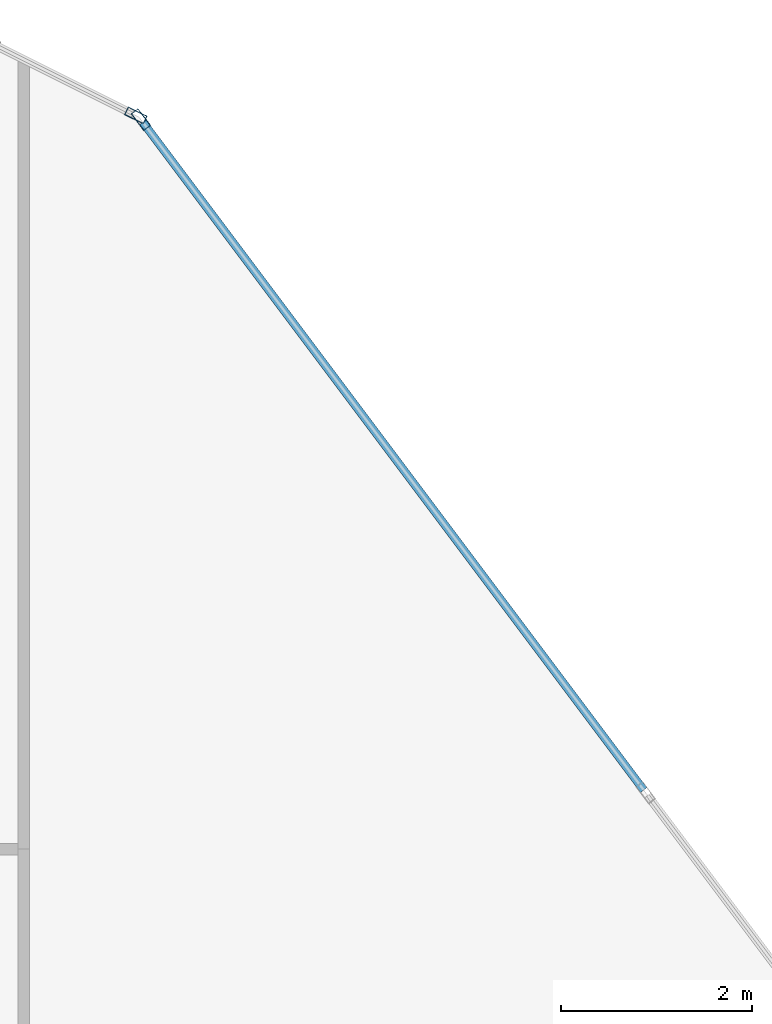
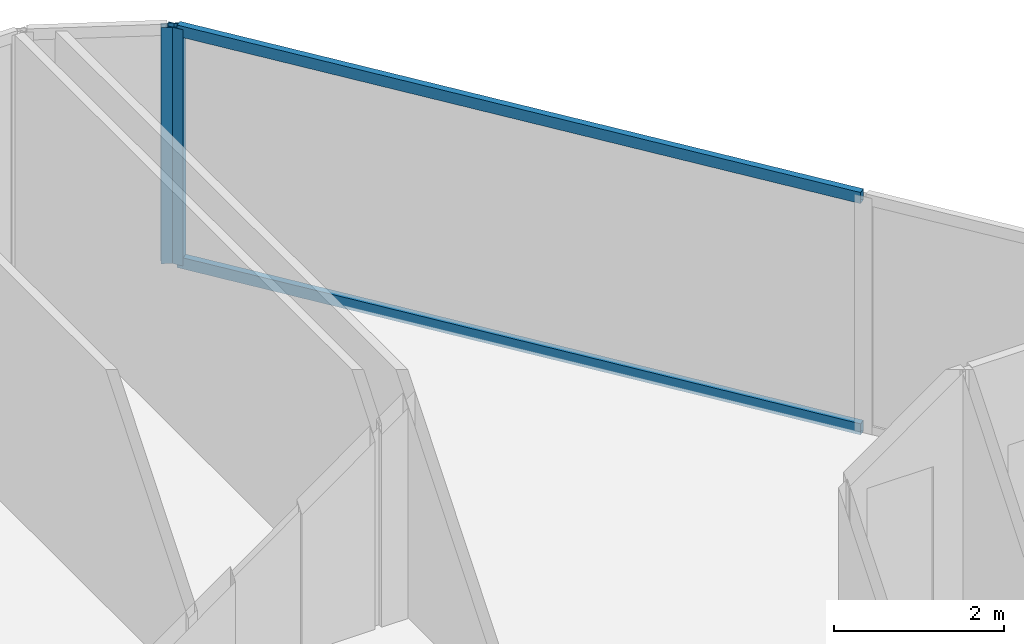
# One storey, part 17 of 33: 4 members, 2 elements without a shape of their own.
"""IFC4 building model written with IfcOpenShell, lengths in metres."""

from ifc_helpers import new_model, si_unit, direction, frame, origin, origin_2d, place, context, subcontext, project, spatial, hollow_rectangle, extrude, material, layer, layer_set, material_profile, profile_set, type_object, element, aggregate, save


model = new_model("IFC4")

# Units and contexts
model_context = context("Model", 3, precision=1e-05, world=origin(), true_north=direction((0.0, 1.0)))
body_context = subcontext(model_context, "Body", "Model", "MODEL_VIEW")
ifc_project = project(units=[si_unit("LENGTHUNIT", "METRE"), si_unit("AREAUNIT", "SQUARE_METRE"), si_unit("VOLUMEUNIT", "CUBIC_METRE"), si_unit("PLANEANGLEUNIT", "RADIAN"), si_unit("MASSUNIT", "GRAM", prefix="KILO")], contexts=[model_context])

# Site, building, storey
site_placement = place(None, origin())
site = spatial("IfcSite", under=ifc_project, at=site_placement, CompositionType="ELEMENT")
building_placement = place(site_placement, origin())
building = spatial("IfcBuilding", under=site, at=building_placement, Name="Keshet Zoharim Tower", CompositionType="ELEMENT")
storey_placement = place(building_placement, frame((0.0, 0.0, 27.699951171875)))
storey = spatial("IfcBuildingStorey", under=building, at=storey_placement, Name="L05", CompositionType="ELEMENT", Elevation=27.699951171875)

# Curtain wall, member
ifc_material = material(Name="Aluminium 6063-T6", Category="aluminium")
ifc_layer = layer(ifc_material, 0.169921875)
ifc_layer_set = layer_set([ifc_layer], Name="Aluminium 6063-T6")
curtain_wall_type = type_object("IfcCurtainWallType", Name="CW-SYS-02", PredefinedType="NOTDEFINED", material=ifc_layer_set)
curtain_wall_1_placement = place(storey_placement, origin())
curtain_wall_1 = element("IfcCurtainWall", 1, at=curtain_wall_1_placement, inside=storey, type_object=curtain_wall_type, Name="L05 Unitised Curtain Wall 08", PredefinedType="NOTDEFINED")
ifc_material_profile_1 = material_profile(ifc_material, hollow_rectangle(XDim=0.090087890625, YDim=0.219970703125, WallThickness=0.0048828125, at=origin_2d()), Name="MUL-90x220")
ifc_profile_set_1 = profile_set([ifc_material_profile_1], Name="Aluminium 6063-T6")
member_type_1 = type_object("IfcMemberType", Name="CWM-M22", PredefinedType="MULLION", material=ifc_profile_set_1)
member_1_placement = place(storey_placement, frame((51.568603515625, 53.11572265625, 0.0), z_axis=(0.0, 0.0, 1.0), x_axis=(0.447213595499, 0.894427191001, 0.0)))
member_1 = element("IfcMember", 2, at=member_1_placement, type_object=member_type_1, Name="CW-02 mullion 2", PredefinedType="MULLION", context=body_context, shape_type="SweptSolid", body=[
    extrude(hollow_rectangle(XDim=0.090087890625, YDim=0.219970703125, WallThickness=0.0048828125, at=origin_2d()), origin(), (0.0, 0.0, 1.0), 3.385009765625),
])
aggregate(curtain_wall_1, [member_1])

# Curtain wall, members
curtain_wall_2_placement = place(storey_placement, origin())
curtain_wall_2 = element("IfcCurtainWall", 3, at=curtain_wall_2_placement, inside=storey, type_object=curtain_wall_type, Name="L05 Unitised Curtain Wall 09", PredefinedType="NOTDEFINED")
member_2_placement = place(storey_placement, frame((51.62109375, 53.072021484375, 0.0), z_axis=(0.0, 0.0, 1.0), x_axis=(0.799999999998, 0.600000000002, 0.0)))
member_2 = element("IfcMember", 4, at=member_2_placement, type_object=member_type_1, Name="CW-02 mullion 1", PredefinedType="MULLION", context=body_context, shape_type="SweptSolid", body=[
    extrude(hollow_rectangle(XDim=0.090087890625, YDim=0.219970703125, WallThickness=0.0048828125, at=origin_2d()), origin(), (0.0, 0.0, 1.0), 3.385009765625),
])
ifc_material_profile_2 = material_profile(ifc_material, hollow_rectangle(XDim=0.0849609375, YDim=0.159912109375, WallThickness=0.00439453125, at=origin_2d()), Name="TRN-85x160")
ifc_profile_set_2 = profile_set([ifc_material_profile_2], Name="Aluminium 6063-T6")
member_type_2 = type_object("IfcMemberType", Name="CWT-T16", PredefinedType="USERDEFINED", material=ifc_profile_set_2)
member_3_placement = place(storey_placement, frame((51.64208984375, 53.0439453125, 0.03515625), z_axis=(0.599991043201, -0.800006717521, 0.0), x_axis=(0.800006717521, 0.599991043201, 0.0)))
member_3 = element("IfcMember", 5, at=member_3_placement, type_object=member_type_2, Name="CW-02 transom 1.1", ObjectType="TRANSOM", PredefinedType="USERDEFINED", context=body_context, shape_type="SweptSolid", body=[
    extrude(hollow_rectangle(XDim=0.0849609375, YDim=0.159912109375, WallThickness=0.00439453125, at=origin_2d()), origin(), (0.0, 0.0, 1.0), 8.722412109375),
])
member_4_placement = place(storey_placement, frame((51.64208984375, 53.0439453125, 3.35009765625), z_axis=(0.599991043201, -0.800006717521, 0.0), x_axis=(0.800006717521, 0.599991043201, 0.0)))
member_4 = element("IfcMember", 6, at=member_4_placement, type_object=member_type_2, Name="CW-02 transom 1.2", ObjectType="TRANSOM", PredefinedType="USERDEFINED", context=body_context, shape_type="SweptSolid", body=[
    extrude(hollow_rectangle(XDim=0.0849609375, YDim=0.159912109375, WallThickness=0.00439453125, at=origin_2d()), origin(), (0.0, 0.0, 1.0), 8.722412109375),
])
aggregate(curtain_wall_2, [member_2, member_3, member_4])

save(model, "model.ifc")
